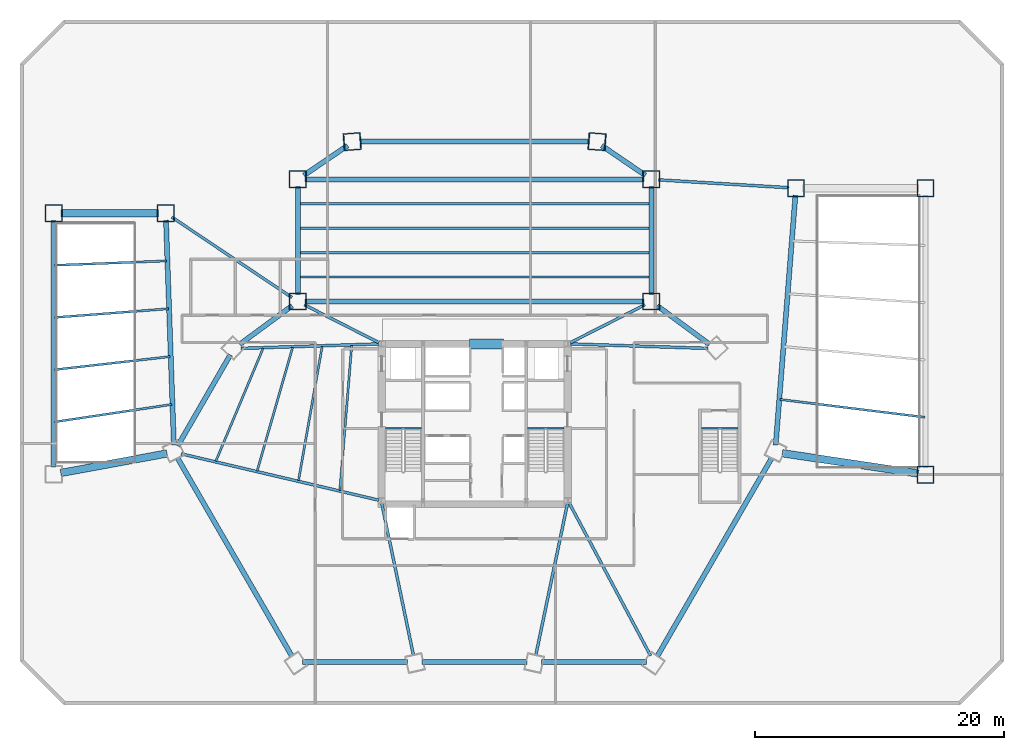
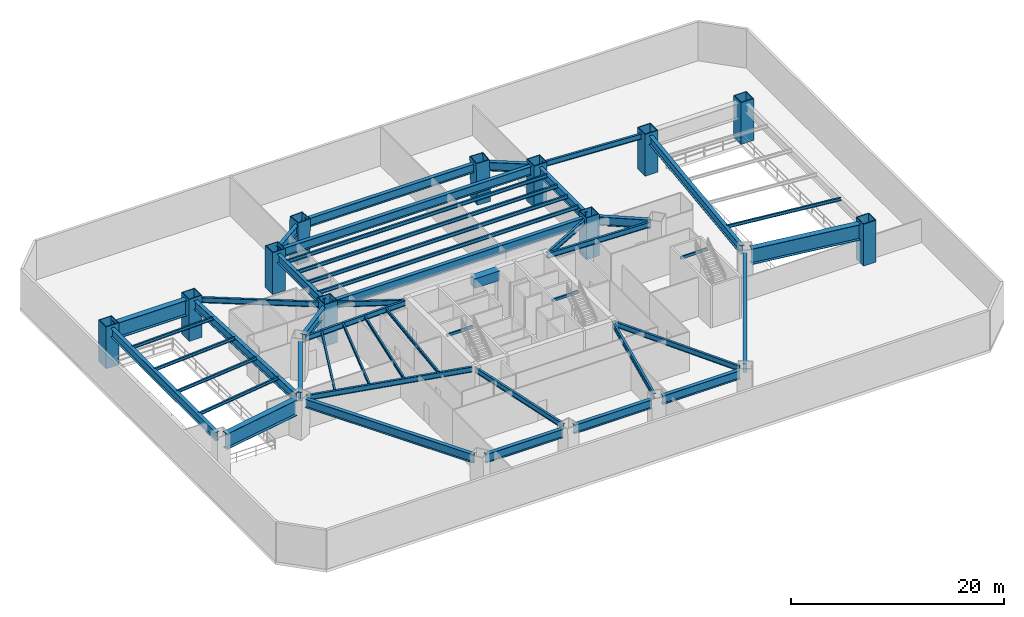
# One storey, part 3 of 11: 48 beams, 11 columns.
"""IFC4 building model written with IfcOpenShell, lengths in metres."""

from ifc_helpers import new_model, si_unit, direction, frame, origin, origin_2d, place, context, subcontext, project, spatial, rectangle, hollow_rectangle, i_section, extrude, source, transform, mapped, material, material_profile, profile_set, type_object, type_shapes, element, save


model = new_model("IFC4")

# Units and contexts
model_context = context("Model", 3, precision=1e-05, world=origin(), true_north=direction((0.0, 1.0)))
body_context = subcontext(model_context, "Body", "Model", "MODEL_VIEW")
ifc_project = project(units=[si_unit("LENGTHUNIT", "METRE"), si_unit("AREAUNIT", "SQUARE_METRE"), si_unit("VOLUMEUNIT", "CUBIC_METRE"), si_unit("PLANEANGLEUNIT", "RADIAN"), si_unit("MASSUNIT", "GRAM", prefix="KILO")], contexts=[model_context])

# Site, building, storey
site_placement = place(None, origin())
site = spatial("IfcSite", under=ifc_project, at=site_placement, CompositionType="ELEMENT")
building_placement = place(site_placement, origin())
building = spatial("IfcBuilding", under=site, at=building_placement, Name="Caelisora Broadcast Tower", CompositionType="ELEMENT")
storey_placement = place(building_placement, frame((0.0, 0.0, 5.39990234375)))
storey = spatial("IfcBuildingStorey", under=building, at=storey_placement, Name="L01", CompositionType="ELEMENT", Elevation=5.39990234375)

# Columns
ifc_material_1 = material(Name="Steel Grade 350 L15 (AS/NZS 3678)", Category="steel")
ifc_material_profile_1 = material_profile(ifc_material_1, hollow_rectangle(XDim=1.39990234375, YDim=1.39990234375, WallThickness=0.080078125, at=origin_2d()), Name="Steel Grade 350 L15 (AS/NZS 3678)")
ifc_profile_set_1 = profile_set([ifc_material_profile_1], Name="Steel Grade 350 L15 (AS/NZS 3678)")
column_type = type_object("IfcColumnType", Name="MC01", PredefinedType="COLUMN", material=ifc_profile_set_1)
shared_shape_1 = source(origin(), body_context, "Body", "SweptSolid", [
    extrude(hollow_rectangle(XDim=1.39990234375, YDim=1.39990234375, WallThickness=0.080078125, at=origin_2d()), origin(), (0.0, 0.0, 1.0), 4.801513671875),
])
for number, where, z_axis, x_axis, name in (
    (1, (47.841796875, 46.23291015625, 0.0), (-0.023847509135, 0.001779664861, 0.999714023659), (-0.074419924822, -0.99722699261, 0.0), "L01 column MC01"),
    (2, (28.158203125, 46.23291015625, 0.0), (0.023847509135, 0.001779664861, 0.999714023659), (-0.074419924822, 0.99722699261, 0.0), "L01 column MC01"),
):
    element("IfcColumn", number, at=place(storey_placement, frame(where, z_axis=z_axis, x_axis=x_axis)), inside=storey, type_object=column_type, Name=name, PredefinedType="COLUMN", context=body_context, shape_type="MappedRepresentation", body=[
        mapped(shared_shape_1, transform((0.0, 0.0, 0.0), scale=1.0)),
    ])
shared_shape_2 = source(origin(), body_context, "Body", "SweptSolid", [
    extrude(hollow_rectangle(XDim=1.39990234375, YDim=1.39990234375, WallThickness=0.080078125, at=origin_2d()), origin(), (0.0, 0.0, 1.0), 4.800048828125),
])
type_shapes(column_type, [shared_shape_1, shared_shape_2])
for number, where, z_axis, x_axis, name in (
    (3, (23.81103515625, 33.39990234375, 0.0), (0.0, 0.0, 1.0), (1.0, 0.0, 0.0), "L01 column MC01"),
    (4, (23.81103515625, 43.199951171875, 0.0), (0.0, 0.0, 1.0), (1.0, 0.0, 0.0), "L01 column MC01"),
    (5, (52.18896484375, 33.39990234375, 0.0), (0.0, 0.0, 1.0), (1.0, 0.0, 0.0), "L01 column MC01"),
    (6, (52.18896484375, 43.199951171875, 0.0), (0.0, 0.0, 1.0), (1.0, 0.0, 0.0), "L01 column MC01"),
    (7, (4.199951171875, 40.5, 0.0), (0.0, 0.0, 1.0), (1.0, 0.0, 0.0), "L01 column MC01"),
    (8, (74.199951171875, 19.5, 0.0), (0.0, 0.0, 1.0), (1.0, 0.0, 0.0), "L01 column MC01"),
    (9, (74.199951171875, 42.5, 0.0), (0.0, 0.0, 1.0), (1.0, 0.0, 0.0), "L01 column MC01"),
    (10, (13.199951171875, 40.5, 0.0), (0.0, 0.0, 1.0), (1.0, 0.0, 0.0), "L01 column MC01"),
    (11, (63.800048828125, 42.5, 0.0), (0.0, 0.0, 1.0), (1.0, 0.0, 0.0), "L01 column MC01"),
):
    element("IfcColumn", number, at=place(storey_placement, frame(where, z_axis=z_axis, x_axis=x_axis)), inside=storey, type_object=column_type, Name=name, PredefinedType="COLUMN", context=body_context, shape_type="MappedRepresentation", body=[
        mapped(shared_shape_2, transform((0.0, 0.0, 0.0), scale=1.0)),
    ])

# Beams
ifc_material_2 = material(Name="Steel Grade 350 (AS/NZS 1163 C350L0)", Category="steel")
ifc_material_profile_2 = material_profile(ifc_material_2, hollow_rectangle(XDim=0.14990234375, YDim=0.300048828125, WallThickness=0.010009765625, at=origin_2d()), Name="Steel Grade 350 (AS/NZS 1163 C350L0)")
ifc_profile_set_2 = profile_set([ifc_material_profile_2], Name="Steel Grade 350 (AS/NZS 1163 C350L0)")
beam_type_1 = type_object("IfcBeamType", Name="SB05", PredefinedType="JOIST", material=ifc_profile_set_2)
shared_shape_3 = source(origin(), body_context, "Body", "SweptSolid", [
    extrude(hollow_rectangle(XDim=0.14990234375, YDim=0.300048828125, WallThickness=0.010009765625, at=origin_2d()), origin(), (0.0, 0.0, 1.0), 2.89990234375),
])
for number, where, z_axis, x_axis, name in (
    (12, (30.840087890625, 23.219970703125, 4.330078125), (1.0, 0.0, 0.0), (0.0, 1.0, 0.0), "L01 beam SB05"),
    (13, (42.260009765625, 23.219970703125, 4.330078125), (1.0, 0.0, 0.0), (0.0, 1.0, 0.0), "L01 beam SB05"),
):
    element("IfcBeam", number, at=place(storey_placement, frame(where, z_axis=z_axis, x_axis=x_axis)), inside=storey, type_object=beam_type_1, Name=name, PredefinedType="JOIST", context=body_context, shape_type="MappedRepresentation", body=[
        mapped(shared_shape_3, transform((0.0, 0.0, 0.0), scale=1.0)),
    ])
ifc_material_3 = material(Name="Concrete 65 MPa (AS 3600 S65)", Category="concrete")
ifc_material_profile_3 = material_profile(ifc_material_3, rectangle(XDim=0.800048828125, YDim=1.10009765625, at=origin_2d()), Name="Concrete 65 MPa (AS 3600 S65)")
ifc_profile_set_3 = profile_set([ifc_material_profile_3], Name="Concrete 65 MPa (AS 3600 S65)")
beam_type_2 = type_object("IfcBeamType", Name="CB01", PredefinedType="LINTEL", material=ifc_profile_set_3)
shared_shape_4 = source(origin(), body_context, "Body", "SweptSolid", [
    extrude(rectangle(XDim=0.800048828125, YDim=1.10009765625, at=origin_2d()), origin(), (0.0, 0.0, 1.0), 2.699951171875),
])
type_shapes(beam_type_2, [shared_shape_4])
beam_1_placement = place(storey_placement, frame((37.60009765625, 30.0, 4.0), z_axis=(1.0, 0.0, 0.0), x_axis=(0.0, 1.0, 0.0)))
element("IfcBeam", 14, at=beam_1_placement, inside=storey, type_object=beam_type_2, Name="L01 beam CB01", PredefinedType="LINTEL", context=body_context, shape_type="MappedRepresentation", body=[
    mapped(shared_shape_4, transform((0.0, 0.0, 0.0), scale=1.0)),
])
shared_shape_5 = source(origin(), body_context, "Body", "SweptSolid", [
    extrude(hollow_rectangle(XDim=0.14990234375, YDim=0.300048828125, WallThickness=0.010009765625, at=origin_2d()), origin(), (0.0, 0.0, 1.0), 2.9599609375),
])
type_shapes(beam_type_1, [shared_shape_3, shared_shape_5])
beam_2_placement = place(storey_placement, frame((56.199951171875, 23.219970703125, 4.330078125), z_axis=(1.0, 0.0, 0.0), x_axis=(0.0, 1.0, 0.0)))
element("IfcBeam", 15, at=beam_2_placement, inside=storey, type_object=beam_type_1, Name="L01 beam SB05", PredefinedType="JOIST", context=body_context, shape_type="MappedRepresentation", body=[
    mapped(shared_shape_5, transform((0.0, 0.0, 0.0), scale=1.0)),
])
ifc_material_4 = material(Name="Steel Grade 350 (AS/NZS 3679.1)", Category="steel")
ifc_material_profile_4 = material_profile(ifc_material_4, i_section(OverallWidth=0.22900390625, OverallDepth=0.611572265625, WebThickness=0.011962890625, FlangeThickness=0.01953125, at=origin_2d()), Name="Steel Grade 350 (AS/NZS 3679.1)")
ifc_profile_set_4 = profile_set([ifc_material_profile_4], Name="Steel Grade 350 (AS/NZS 3679.1)")
beam_type_3 = type_object("IfcBeamType", Name="PG03", PredefinedType="BEAM", material=ifc_profile_set_4)
shared_shape_6 = source(origin(), body_context, "Body", "SweptSolid", [
    extrude(i_section(OverallWidth=0.22900390625, OverallDepth=0.611572265625, WebThickness=0.011962890625, FlangeThickness=0.01953125, at=origin_2d()), origin(), (0.0, 0.0, 1.0), 6.7236328125),
])
for number, where, z_axis, x_axis, name in (
    (16, (45.67822265625, 30.090576171875, 4.17431640625), (0.891452005552, 0.453115130841, 0.0), (-0.453115130841, 0.891452005552, 0.0), "L01 beam PG03"),
    (17, (30.32177734375, 30.090576171875, 4.17431640625), (-0.891452005552, 0.453115130841, 0.0), (-0.453115130841, -0.891452005552, 0.0), "L01 beam PG03"),
):
    element("IfcBeam", number, at=place(storey_placement, frame(where, z_axis=z_axis, x_axis=x_axis)), inside=storey, type_object=beam_type_3, Name=name, PredefinedType="BEAM", context=body_context, shape_type="MappedRepresentation", body=[
        mapped(shared_shape_6, transform((0.0, 0.0, 0.0), scale=1.0)),
    ])
ifc_material_5 = material(Name="Steel Grade 350 (AS/NZS 3679.2)", Category="steel")
ifc_material_profile_5 = material_profile(ifc_material_5, i_section(OverallWidth=0.39990234375, OverallDepth=1.0, WebThickness=0.01611328125, FlangeThickness=0.028076171875, at=origin_2d()), Name="Steel Grade 350 (AS/NZS 3679.2)")
ifc_profile_set_5 = profile_set([ifc_material_profile_5], Name="Steel Grade 350 (AS/NZS 3679.2)")
beam_type_4 = type_object("IfcBeamType", Name="PG01", PredefinedType="BEAM", material=ifc_profile_set_5)
shared_shape_7 = source(origin(), body_context, "Body", "SweptSolid", [
    extrude(i_section(OverallWidth=0.39990234375, OverallDepth=1.0, WebThickness=0.01611328125, FlangeThickness=0.028076171875, at=origin_2d()), origin(), (0.0, 0.0, 1.0), 19.81396484375),
])
beam_3_placement = place(storey_placement, frame((4.199951171875, 20.10595703125, 3.97998046875), z_axis=(0.0, 1.0, 0.0), x_axis=(-1.0, 0.0, 0.0)))
element("IfcBeam", 18, at=beam_3_placement, inside=storey, type_object=beam_type_4, Name="L01 beam PG01", PredefinedType="BEAM", context=body_context, shape_type="MappedRepresentation", body=[
    mapped(shared_shape_7, transform((0.0, 0.0, 0.0), scale=1.0)),
])
shared_shape_8 = source(origin(), body_context, "Body", "SweptSolid", [
    extrude(i_section(OverallWidth=0.22900390625, OverallDepth=0.611572265625, WebThickness=0.011962890625, FlangeThickness=0.01953125, at=origin_2d()), origin(), (0.0, 0.0, 1.0), 11.607666015625),
])
beam_4_placement = place(storey_placement, frame((13.681884765625, 40.177490234375, 4.17431640625), z_axis=(0.831110717698, -0.556106981549, 0.0), x_axis=(0.556106981549, 0.831110717698, 0.0)))
element("IfcBeam", 19, at=beam_4_placement, inside=storey, type_object=beam_type_3, Name="L01 beam PG03", PredefinedType="BEAM", context=body_context, shape_type="MappedRepresentation", body=[
    mapped(shared_shape_8, transform((0.0, 0.0, 0.0), scale=1.0)),
])
shared_shape_9 = source(origin(), body_context, "Body", "SweptSolid", [
    extrude(i_section(OverallWidth=0.22900390625, OverallDepth=0.611572265625, WebThickness=0.011962890625, FlangeThickness=0.01953125, at=origin_2d()), origin(), (0.0, 0.0, 1.0), 10.472412109375),
])
beam_5_placement = place(storey_placement, frame((52.767822265625, 43.1650390625, 4.17431640625), z_axis=(0.998188109477, -0.060170575018, 0.0), x_axis=(0.060170575018, 0.998188109477, 0.0)))
element("IfcBeam", 20, at=beam_5_placement, inside=storey, type_object=beam_type_3, Name="L01 beam PG03", PredefinedType="BEAM", context=body_context, shape_type="MappedRepresentation", body=[
    mapped(shared_shape_9, transform((0.0, 0.0, 0.0), scale=1.0)),
])
shared_shape_10 = source(origin(), body_context, "Body", "SweptSolid", [
    extrude(i_section(OverallWidth=0.39990234375, OverallDepth=1.0, WebThickness=0.01611328125, FlangeThickness=0.028076171875, at=origin_2d()), origin(), (0.0, 0.0, 1.0), 27.2177734375),
])
for number, where, z_axis, x_axis, name in (
    (21, (24.39111328125, 43.199951171875, 3.97998046875), (1.0, 0.0, 0.0), (0.0, 1.0, 0.0), "L01 beam PG01"),
    (22, (24.39111328125, 33.39990234375, 3.97998046875), (1.0, 0.0, 0.0), (0.0, 1.0, 0.0), "L01 beam PG01"),
):
    element("IfcBeam", number, at=place(storey_placement, frame(where, z_axis=z_axis, x_axis=x_axis)), inside=storey, type_object=beam_type_4, Name=name, PredefinedType="BEAM", context=body_context, shape_type="MappedRepresentation", body=[
        mapped(shared_shape_10, transform((0.0, 0.0, 0.0), scale=1.0)),
    ])
shared_shape_11 = source(origin(), body_context, "Body", "SweptSolid", [
    extrude(i_section(OverallWidth=0.39990234375, OverallDepth=1.0, WebThickness=0.01611328125, FlangeThickness=0.028076171875, at=origin_2d()), origin(), (0.0, 0.0, 1.0), 8.64013671875),
])
for number, where, z_axis, x_axis, name in (
    (23, (23.81103515625, 33.97998046875, 3.97998046875), (0.0, 1.0, 0.0), (-1.0, 0.0, 0.0), "L01 beam PG01"),
    (24, (52.18896484375, 33.97998046875, 3.97998046875), (0.0, 1.0, 0.0), (-1.0, 0.0, 0.0), "L01 beam PG01"),
):
    element("IfcBeam", number, at=place(storey_placement, frame(where, z_axis=z_axis, x_axis=x_axis)), inside=storey, type_object=beam_type_4, Name=name, PredefinedType="BEAM", context=body_context, shape_type="MappedRepresentation", body=[
        mapped(shared_shape_11, transform((0.0, 0.0, 0.0), scale=1.0)),
    ])
ifc_material_profile_6 = material_profile(ifc_material_4, i_section(OverallWidth=0.177978515625, OverallDepth=0.406494140625, WebThickness=0.0078125, FlangeThickness=0.0126953125, at=origin_2d()), Name="Steel Grade 350 (AS/NZS 3679.1)")
ifc_profile_set_6 = profile_set([ifc_material_profile_6], Name="Steel Grade 350 (AS/NZS 3679.1)")
beam_type_5 = type_object("IfcBeamType", Name="SB01", PredefinedType="JOIST", material=ifc_profile_set_6)
shared_shape_12 = source(origin(), body_context, "Body", "SweptSolid", [
    extrude(i_section(OverallWidth=0.177978515625, OverallDepth=0.406494140625, WebThickness=0.0078125, FlangeThickness=0.0126953125, at=origin_2d()), origin(), (0.0, 0.0, 1.0), 28.2578125),
])
type_shapes(beam_type_5, [shared_shape_12])
for number, where, z_axis, x_axis, name in (
    (25, (23.87109375, 35.360107421875, 4.27685546875), (1.0, 0.0, 0.0), (0.0, 1.0, 0.0), "L01 beam SB01"),
    (26, (23.87109375, 37.320068359375, 4.27685546875), (1.0, 0.0, 0.0), (0.0, 1.0, 0.0), "L01 beam SB01"),
    (27, (23.87109375, 39.280029296875, 4.27685546875), (1.0, 0.0, 0.0), (0.0, 1.0, 0.0), "L01 beam SB01"),
    (28, (23.87109375, 41.239990234375, 4.27685546875), (1.0, 0.0, 0.0), (0.0, 1.0, 0.0), "L01 beam SB01"),
):
    element("IfcBeam", number, at=place(storey_placement, frame(where, z_axis=z_axis, x_axis=x_axis)), inside=storey, type_object=beam_type_5, Name=name, PredefinedType="JOIST", context=body_context, shape_type="MappedRepresentation", body=[
        mapped(shared_shape_12, transform((0.0, 0.0, 0.0), scale=1.0)),
    ])
shared_shape_13 = source(origin(), body_context, "Body", "SweptSolid", [
    extrude(i_section(OverallWidth=0.39990234375, OverallDepth=1.0, WebThickness=0.01611328125, FlangeThickness=0.028076171875, at=origin_2d()), origin(), (0.0, 0.0, 1.0), 18.29443359375),
])
for number, where, z_axis, x_axis, name in (
    (29, (47.147216796875, 46.241455078125, 3.97998046875), (-1.0, 0.0, 0.0), (0.0, -1.0, 0.0), "L01 beam PG01"),
    (30, (14.164794921875, 20.801025390625, 3.97998046875), (0.499998541529, -0.866026245831, 0.0), (0.866026245831, 0.499998541529, 0.0), "L01 beam PG01"),
    (31, (52.68798828125, 4.95751953125, 3.97998046875), (0.499998541529, 0.866026245831, 0.0), (-0.866026245831, 0.499998541529, 0.0), "L01 beam PG01"),
):
    element("IfcBeam", number, at=place(storey_placement, frame(where, z_axis=z_axis, x_axis=x_axis)), inside=storey, type_object=beam_type_4, Name=name, PredefinedType="BEAM", context=body_context, shape_type="MappedRepresentation", body=[
        mapped(shared_shape_13, transform((0.0, 0.0, 0.0), scale=1.0)),
    ])
shared_shape_14 = source(origin(), body_context, "Body", "SweptSolid", [
    extrude(i_section(OverallWidth=0.39990234375, OverallDepth=1.0, WebThickness=0.01611328125, FlangeThickness=0.028076171875, at=origin_2d()), origin(), (0.0, 0.0, 1.0), 4.239990234375),
])
for number, where, z_axis, x_axis, name in (
    (32, (27.793701171875, 45.914794921875, 3.97998046875), (-0.826283376377, -0.563254633291, 0.0), (0.563254633291, -0.826283376377, 0.0), "L01 beam PG01"),
    (33, (51.709716796875, 43.526611328125, 3.97998046875), (-0.826283376377, 0.563254633291, 0.0), (-0.563254633291, -0.826283376377, 0.0), "L01 beam PG01"),
):
    element("IfcBeam", number, at=place(storey_placement, frame(where, z_axis=z_axis, x_axis=x_axis)), inside=storey, type_object=beam_type_4, Name=name, PredefinedType="BEAM", context=body_context, shape_type="MappedRepresentation", body=[
        mapped(shared_shape_14, transform((0.0, 0.0, 0.0), scale=1.0)),
    ])
shared_shape_15 = source(origin(), body_context, "Body", "SweptSolid", [
    extrude(i_section(OverallWidth=0.39990234375, OverallDepth=1.0, WebThickness=0.01611328125, FlangeThickness=0.028076171875, at=origin_2d()), origin(), (0.0, 0.0, 1.0), 5.219970703125),
])
for number, where, z_axis, x_axis, name in (
    (34, (23.343994140625, 33.055908203125, 3.97998046875), (-0.805139292614, -0.593085760653, 0.0), (0.593085760653, -0.805139292614, 0.0), "L01 beam PG01"),
    (35, (56.85888671875, 29.9599609375, 3.97998046875), (-0.805139292614, 0.593085760653, 0.0), (-0.593085760653, -0.805139292614, 0.0), "L01 beam PG01"),
):
    element("IfcBeam", number, at=place(storey_placement, frame(where, z_axis=z_axis, x_axis=x_axis)), inside=storey, type_object=beam_type_4, Name=name, PredefinedType="BEAM", context=body_context, shape_type="MappedRepresentation", body=[
        mapped(shared_shape_15, transform((0.0, 0.0, 0.0), scale=1.0)),
    ])
shared_shape_16 = source(origin(), body_context, "Body", "SweptSolid", [
    extrude(i_section(OverallWidth=0.39990234375, OverallDepth=1.0, WebThickness=0.01611328125, FlangeThickness=0.028076171875, at=origin_2d()), origin(), (0.0, 0.0, 1.0), 8.4384765625),
])
beam_6_placement = place(storey_placement, frame((18.38427734375, 29.113525390625, 3.97998046875), z_axis=(-0.500025482603, -0.866010690897, 0.0), x_axis=(0.866010690897, -0.500025482603, 0.0)))
element("IfcBeam", 36, at=beam_6_placement, inside=storey, type_object=beam_type_4, Name="L01 beam PG01", PredefinedType="BEAM", context=body_context, shape_type="MappedRepresentation", body=[
    mapped(shared_shape_16, transform((0.0, 0.0, 0.0), scale=1.0)),
])
shared_shape_17 = source(origin(), body_context, "Body", "SweptSolid", [
    extrude(i_section(OverallWidth=0.39990234375, OverallDepth=1.0, WebThickness=0.01611328125, FlangeThickness=0.028076171875, at=origin_2d()), origin(), (0.0, 0.0, 1.0), 8.438720703125),
])
for number, where, z_axis, x_axis, name in (
    (37, (24.181884765625, 4.455322265625, 3.97998046875), (1.0, 0.0, 0.0), (0.0, 1.0, 0.0), "L01 beam PG01"),
    (38, (43.37939453125, 4.455322265625, 3.97998046875), (1.0, 0.0, 0.0), (0.0, 1.0, 0.0), "L01 beam PG01"),
):
    element("IfcBeam", number, at=place(storey_placement, frame(where, z_axis=z_axis, x_axis=x_axis)), inside=storey, type_object=beam_type_4, Name=name, PredefinedType="BEAM", context=body_context, shape_type="MappedRepresentation", body=[
        mapped(shared_shape_17, transform((0.0, 0.0, 0.0), scale=1.0)),
    ])
shared_shape_18 = source(origin(), body_context, "Body", "SweptSolid", [
    extrude(i_section(OverallWidth=0.39990234375, OverallDepth=1.0, WebThickness=0.01611328125, FlangeThickness=0.028076171875, at=origin_2d()), origin(), (0.0, 0.0, 1.0), 8.43896484375),
])
beam_7_placement = place(storey_placement, frame((33.780517578125, 4.455322265625, 3.97998046875), z_axis=(1.0, 0.0, 0.0), x_axis=(0.0, 1.0, 0.0)))
element("IfcBeam", 39, at=beam_7_placement, inside=storey, type_object=beam_type_4, Name="L01 beam PG01", PredefinedType="BEAM", context=body_context, shape_type="MappedRepresentation", body=[
    mapped(shared_shape_18, transform((0.0, 0.0, 0.0), scale=1.0)),
])
ifc_material_profile_7 = material_profile(ifc_material_5, i_section(OverallWidth=0.60009765625, OverallDepth=1.800048828125, WebThickness=0.02490234375, FlangeThickness=0.0400390625, at=origin_2d()), Name="Steel Grade 350 (AS/NZS 3679.2)")
ifc_profile_set_7 = profile_set([ifc_material_profile_7], Name="Steel Grade 350 (AS/NZS 3679.2)")
beam_type_6 = type_object("IfcBeamType", Name="TG01", PredefinedType="BEAM", material=ifc_profile_set_7)
shared_shape_19 = source(origin(), body_context, "Body", "SweptSolid", [
    extrude(i_section(OverallWidth=0.60009765625, OverallDepth=1.800048828125, WebThickness=0.02490234375, FlangeThickness=0.0400390625, at=origin_2d()), origin(), (0.0, 0.0, 1.0), 11.048828125),
])
beam_8_placement = place(storey_placement, frame((62.69873046875, 21.217529296875, 3.580078125), z_axis=(0.989033385993, -0.14769211689, 0.0), x_axis=(0.14769211689, 0.989033385993, 0.0)))
element("IfcBeam", 40, at=beam_8_placement, inside=storey, type_object=beam_type_6, Name="L01 beam TG01", PredefinedType="BEAM", context=body_context, shape_type="MappedRepresentation", body=[
    mapped(shared_shape_19, transform((0.0, 0.0, 0.0), scale=1.0)),
])
shared_shape_20 = source(origin(), body_context, "Body", "SweptSolid", [
    extrude(i_section(OverallWidth=0.22900390625, OverallDepth=0.611572265625, WebThickness=0.011962890625, FlangeThickness=0.01953125, at=origin_2d()), origin(), (0.0, 0.0, 1.0), 16.29736328125),
])
beam_9_placement = place(storey_placement, frame((30.305419921875, 17.44580078125, 4.17431640625), z_axis=(-0.973530801036, 0.22855585627, 0.0), x_axis=(-0.22855585627, -0.973530801036, 0.0)))
element("IfcBeam", 41, at=beam_9_placement, inside=storey, type_object=beam_type_3, Name="L01 beam PG03", PredefinedType="BEAM", context=body_context, shape_type="MappedRepresentation", body=[
    mapped(shared_shape_20, transform((0.0, 0.0, 0.0), scale=1.0)),
])
shared_shape_21 = source(origin(), body_context, "Body", "SweptSolid", [
    extrude(i_section(OverallWidth=0.22900390625, OverallDepth=0.611572265625, WebThickness=0.011962890625, FlangeThickness=0.01953125, at=origin_2d()), origin(), (0.0, 0.0, 1.0), 12.443115234375),
])
for number, where, z_axis, x_axis, name in (
    (42, (30.540771484375, 17.2041015625, 4.17431640625), (0.204229258821, -0.978923086785, 0.0), (0.978923086785, 0.204229258821, 0.0), "L01 beam PG03"),
    (43, (45.459228515625, 17.2041015625, 4.17431640625), (-0.204229258821, -0.978923086785, 0.0), (0.978923086785, -0.204229258821, 0.0), "L01 beam PG03"),
):
    element("IfcBeam", number, at=place(storey_placement, frame(where, z_axis=z_axis, x_axis=x_axis)), inside=storey, type_object=beam_type_3, Name=name, PredefinedType="BEAM", context=body_context, shape_type="MappedRepresentation", body=[
        mapped(shared_shape_21, transform((0.0, 0.0, 0.0), scale=1.0)),
    ])
shared_shape_22 = source(origin(), body_context, "Body", "SweptSolid", [
    extrude(i_section(OverallWidth=0.22900390625, OverallDepth=0.611572265625, WebThickness=0.011962890625, FlangeThickness=0.01953125, at=origin_2d()), origin(), (0.0, 0.0, 1.0), 13.8876953125),
])
beam_10_placement = place(storey_placement, frame((45.593994140625, 17.223388671875, 4.17431640625), z_axis=(0.470288929558, -0.88251250571, 0.0), x_axis=(0.88251250571, 0.470288929558, 0.0)))
element("IfcBeam", 44, at=beam_10_placement, inside=storey, type_object=beam_type_3, Name="L01 beam PG03", PredefinedType="BEAM", context=body_context, shape_type="MappedRepresentation", body=[
    mapped(shared_shape_22, transform((0.0, 0.0, 0.0), scale=1.0)),
])
shared_shape_23 = source(origin(), body_context, "Body", "SweptSolid", [
    extrude(i_section(OverallWidth=0.22900390625, OverallDepth=0.611572265625, WebThickness=0.011962890625, FlangeThickness=0.01953125, at=origin_2d()), origin(), (0.0, 0.0, 1.0), 11.052001953125),
])
type_shapes(beam_type_3, [shared_shape_6, shared_shape_8, shared_shape_9, shared_shape_20, shared_shape_21, shared_shape_22, shared_shape_23])
for number, where, z_axis, x_axis, name in (
    (45, (45.699951171875, 29.993408203125, 4.17431640625), (0.999473341354, -0.032450576604, 0.0), (0.032450576604, 0.999473341354, 0.0), "L01 beam PG03"),
    (46, (19.25390625, 29.634765625, 4.17431640625), (0.999473341354, 0.032450576604, 0.0), (-0.032450576604, 0.999473341354, 0.0), "L01 beam PG03"),
):
    element("IfcBeam", number, at=place(storey_placement, frame(where, z_axis=z_axis, x_axis=x_axis)), inside=storey, type_object=beam_type_3, Name=name, PredefinedType="BEAM", context=body_context, shape_type="MappedRepresentation", body=[
        mapped(shared_shape_23, transform((0.0, 0.0, 0.0), scale=1.0)),
    ])
shared_shape_24 = source(origin(), body_context, "Body", "SweptSolid", [
    extrude(i_section(OverallWidth=0.60009765625, OverallDepth=1.800048828125, WebThickness=0.02490234375, FlangeThickness=0.0400390625, at=origin_2d()), origin(), (0.0, 0.0, 1.0), 8.676513671875),
])
beam_11_placement = place(storey_placement, frame((4.7705078125, 19.630859375, 3.580078125), z_axis=(0.983542778559, 0.180675407139, 0.0), x_axis=(-0.180675407139, 0.983542778559, 0.0)))
element("IfcBeam", 47, at=beam_11_placement, inside=storey, type_object=beam_type_6, Name="L01 beam TG01", PredefinedType="BEAM", context=body_context, shape_type="MappedRepresentation", body=[
    mapped(shared_shape_24, transform((0.0, 0.0, 0.0), scale=1.0)),
])
shared_shape_25 = source(origin(), body_context, "Body", "SweptSolid", [
    extrude(i_section(OverallWidth=0.60009765625, OverallDepth=1.800048828125, WebThickness=0.02490234375, FlangeThickness=0.0400390625, at=origin_2d()), origin(), (0.0, 0.0, 1.0), 7.840087890625),
])
type_shapes(beam_type_6, [shared_shape_19, shared_shape_24, shared_shape_25])
beam_12_placement = place(storey_placement, frame((4.780029296875, 40.5, 3.580078125), z_axis=(1.0, 0.0, 0.0), x_axis=(0.0, 1.0, 0.0)))
element("IfcBeam", 48, at=beam_12_placement, inside=storey, type_object=beam_type_6, Name="L01 beam TG01", PredefinedType="BEAM", context=body_context, shape_type="MappedRepresentation", body=[
    mapped(shared_shape_25, transform((0.0, 0.0, 0.0), scale=1.0)),
])
shared_shape_26 = source(origin(), body_context, "Body", "SweptSolid", [
    extrude(i_section(OverallWidth=0.39990234375, OverallDepth=1.0, WebThickness=0.01611328125, FlangeThickness=0.028076171875, at=origin_2d()), origin(), (0.0, 0.0, 1.0), 18.048828125),
])
beam_13_placement = place(storey_placement, frame((13.8544921875, 21.8828125, 3.97998046875), z_axis=(-0.035128950222, 0.999382787953, 0.0), x_axis=(-0.999382787953, -0.035128950222, 0.0)))
element("IfcBeam", 49, at=beam_13_placement, inside=storey, type_object=beam_type_4, Name="L01 beam PG01", PredefinedType="BEAM", context=body_context, shape_type="MappedRepresentation", body=[
    mapped(shared_shape_26, transform((0.0, 0.0, 0.0), scale=1.0)),
])
shared_shape_27 = source(origin(), body_context, "Body", "SweptSolid", [
    extrude(i_section(OverallWidth=0.39990234375, OverallDepth=1.0, WebThickness=0.01611328125, FlangeThickness=0.028076171875, at=origin_2d()), origin(), (0.0, 0.0, 1.0), 20.102783203125),
])
type_shapes(beam_type_4, [shared_shape_7, shared_shape_10, shared_shape_11, shared_shape_13, shared_shape_14, shared_shape_15, shared_shape_16, shared_shape_17, shared_shape_18, shared_shape_26, shared_shape_27])
beam_14_placement = place(storey_placement, frame((62.1708984375, 21.881591796875, 3.97998046875), z_axis=(0.078770137489, 0.996892805391, 0.0), x_axis=(-0.996892805391, 0.078770137489, 0.0)))
element("IfcBeam", 50, at=beam_14_placement, inside=storey, type_object=beam_type_4, Name="L01 beam PG01", PredefinedType="BEAM", context=body_context, shape_type="MappedRepresentation", body=[
    mapped(shared_shape_27, transform((0.0, 0.0, 0.0), scale=1.0)),
])
ifc_material_profile_8 = material_profile(ifc_material_4, i_section(OverallWidth=0.172119140625, OverallDepth=0.358642578125, WebThickness=0.008056640625, FlangeThickness=0.012939453125, at=origin_2d()), Name="Steel Grade 350 (AS/NZS 3679.1)")
ifc_profile_set_8 = profile_set([ifc_material_profile_8], Name="Steel Grade 350 (AS/NZS 3679.1)")
beam_type_7 = type_object("IfcBeamType", Name="SB02", PredefinedType="JOIST", material=ifc_profile_set_8)
shared_shape_28 = source(origin(), body_context, "Body", "SweptSolid", [
    extrude(i_section(OverallWidth=0.172119140625, OverallDepth=0.358642578125, WebThickness=0.008056640625, FlangeThickness=0.012939453125, at=origin_2d()), origin(), (0.0, 0.0, 1.0), 9.821533203125),
])
beam_15_placement = place(storey_placement, frame((17.222900390625, 20.577880859375, 4.30078125), z_axis=(0.386210394358, 0.922410717246, 0.0), x_axis=(-0.922410717246, 0.386210394358, 0.0)))
element("IfcBeam", 51, at=beam_15_placement, inside=storey, type_object=beam_type_7, Name="L01 beam SB02", PredefinedType="JOIST", context=body_context, shape_type="MappedRepresentation", body=[
    mapped(shared_shape_28, transform((0.0, 0.0, 0.0), scale=1.0)),
])
shared_shape_29 = source(origin(), body_context, "Body", "SweptSolid", [
    extrude(i_section(OverallWidth=0.172119140625, OverallDepth=0.358642578125, WebThickness=0.008056640625, FlangeThickness=0.012939453125, at=origin_2d()), origin(), (0.0, 0.0, 1.0), 10.31298828125),
])
beam_16_placement = place(storey_placement, frame((20.54150390625, 19.799560546875, 4.30078125), z_axis=(0.276005935762, 0.961155930858, 0.0), x_axis=(-0.961155930858, 0.276005935762, 0.0)))
element("IfcBeam", 52, at=beam_16_placement, inside=storey, type_object=beam_type_7, Name="L01 beam SB02", PredefinedType="JOIST", context=body_context, shape_type="MappedRepresentation", body=[
    mapped(shared_shape_29, transform((0.0, 0.0, 0.0), scale=1.0)),
])
shared_shape_30 = source(origin(), body_context, "Body", "SweptSolid", [
    extrude(i_section(OverallWidth=0.172119140625, OverallDepth=0.358642578125, WebThickness=0.008056640625, FlangeThickness=0.012939453125, at=origin_2d()), origin(), (0.0, 0.0, 1.0), 10.93310546875),
])
beam_17_placement = place(storey_placement, frame((23.8603515625, 19.0205078125, 4.30078125), z_axis=(0.173687243356, 0.984800863878, 0.0), x_axis=(-0.984800863878, 0.173687243356, 0.0)))
element("IfcBeam", 53, at=beam_17_placement, inside=storey, type_object=beam_type_7, Name="L01 beam SB02", PredefinedType="JOIST", context=body_context, shape_type="MappedRepresentation", body=[
    mapped(shared_shape_30, transform((0.0, 0.0, 0.0), scale=1.0)),
])
shared_shape_31 = source(origin(), body_context, "Body", "SweptSolid", [
    extrude(i_section(OverallWidth=0.172119140625, OverallDepth=0.358642578125, WebThickness=0.008056640625, FlangeThickness=0.012939453125, at=origin_2d()), origin(), (0.0, 0.0, 1.0), 11.66162109375),
])
beam_18_placement = place(storey_placement, frame((27.1796875, 18.240478515625, 4.30078125), z_axis=(0.0814808482, 0.996674907568, 0.0), x_axis=(-0.996674907568, 0.0814808482, 0.0)))
element("IfcBeam", 54, at=beam_18_placement, inside=storey, type_object=beam_type_7, Name="L01 beam SB02", PredefinedType="JOIST", context=body_context, shape_type="MappedRepresentation", body=[
    mapped(shared_shape_31, transform((0.0, 0.0, 0.0), scale=1.0)),
])
shared_shape_32 = source(origin(), body_context, "Body", "SweptSolid", [
    extrude(i_section(OverallWidth=0.172119140625, OverallDepth=0.358642578125, WebThickness=0.008056640625, FlangeThickness=0.012939453125, at=origin_2d()), origin(), (0.0, 0.0, 1.0), 9.525146484375),
])
beam_19_placement = place(storey_placement, frame((4.25927734375, 23.7294921875, 4.30078125), z_axis=(0.989072610591, 0.147429206668, 0.0), x_axis=(-0.147429206668, 0.989072610591, 0.0)))
element("IfcBeam", 55, at=beam_19_placement, inside=storey, type_object=beam_type_7, Name="L01 beam SB02", PredefinedType="JOIST", context=body_context, shape_type="MappedRepresentation", body=[
    mapped(shared_shape_32, transform((0.0, 0.0, 0.0), scale=1.0)),
])
shared_shape_33 = source(origin(), body_context, "Body", "SweptSolid", [
    extrude(i_section(OverallWidth=0.172119140625, OverallDepth=0.358642578125, WebThickness=0.008056640625, FlangeThickness=0.012939453125, at=origin_2d()), origin(), (0.0, 0.0, 1.0), 9.345458984375),
])
beam_20_placement = place(storey_placement, frame((4.259521484375, 27.92236328125, 4.30078125), z_axis=(0.993634994668, 0.112647669173, 0.0), x_axis=(-0.112647669173, 0.993634994668, 0.0)))
element("IfcBeam", 56, at=beam_20_placement, inside=storey, type_object=beam_type_7, Name="L01 beam SB02", PredefinedType="JOIST", context=body_context, shape_type="MappedRepresentation", body=[
    mapped(shared_shape_33, transform((0.0, 0.0, 0.0), scale=1.0)),
])
shared_shape_34 = source(origin(), body_context, "Body", "SweptSolid", [
    extrude(i_section(OverallWidth=0.172119140625, OverallDepth=0.358642578125, WebThickness=0.008056640625, FlangeThickness=0.012939453125, at=origin_2d()), origin(), (0.0, 0.0, 1.0), 9.17724609375),
])
beam_21_placement = place(storey_placement, frame((4.259765625, 32.114990234375, 4.30078125), z_axis=(0.997072922077, 0.076456445519, 0.0), x_axis=(-0.076456445519, 0.997072922077, 0.0)))
element("IfcBeam", 57, at=beam_21_placement, inside=storey, type_object=beam_type_7, Name="L01 beam SB02", PredefinedType="JOIST", context=body_context, shape_type="MappedRepresentation", body=[
    mapped(shared_shape_34, transform((0.0, 0.0, 0.0), scale=1.0)),
])
shared_shape_35 = source(origin(), body_context, "Body", "SweptSolid", [
    extrude(i_section(OverallWidth=0.172119140625, OverallDepth=0.358642578125, WebThickness=0.008056640625, FlangeThickness=0.012939453125, at=origin_2d()), origin(), (0.0, 0.0, 1.0), 9.021728515625),
])
beam_22_placement = place(storey_placement, frame((4.260009765625, 36.3076171875, 4.30078125), z_axis=(0.999244654588, 0.038860266052, 0.0), x_axis=(-0.038860266052, 0.999244654588, 0.0)))
element("IfcBeam", 58, at=beam_22_placement, inside=storey, type_object=beam_type_7, Name="L01 beam SB02", PredefinedType="JOIST", context=body_context, shape_type="MappedRepresentation", body=[
    mapped(shared_shape_35, transform((0.0, 0.0, 0.0), scale=1.0)),
])
shared_shape_36 = source(origin(), body_context, "Body", "SweptSolid", [
    extrude(i_section(OverallWidth=0.172119140625, OverallDepth=0.358642578125, WebThickness=0.008056640625, FlangeThickness=0.012939453125, at=origin_2d()), origin(), (0.0, 0.0, 1.0), 11.7080078125),
])
type_shapes(beam_type_7, [shared_shape_28, shared_shape_29, shared_shape_30, shared_shape_31, shared_shape_32, shared_shape_33, shared_shape_34, shared_shape_35, shared_shape_36])
beam_23_placement = place(storey_placement, frame((62.519775390625, 25.535400390625, 4.30078125), z_axis=(0.992534290805, -0.121965903335, 0.0), x_axis=(0.121965903335, 0.992534290805, 0.0)))
element("IfcBeam", 59, at=beam_23_placement, inside=storey, type_object=beam_type_7, Name="L01 beam SB02", PredefinedType="JOIST", context=body_context, shape_type="MappedRepresentation", body=[
    mapped(shared_shape_36, transform((0.0, 0.0, 0.0), scale=1.0)),
])

save(model, "model.ifc")
